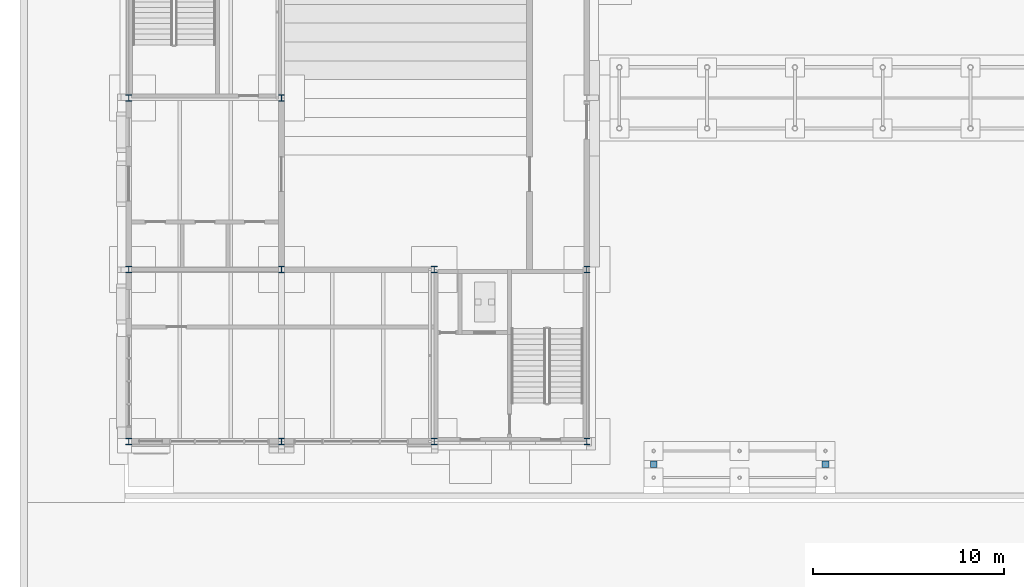
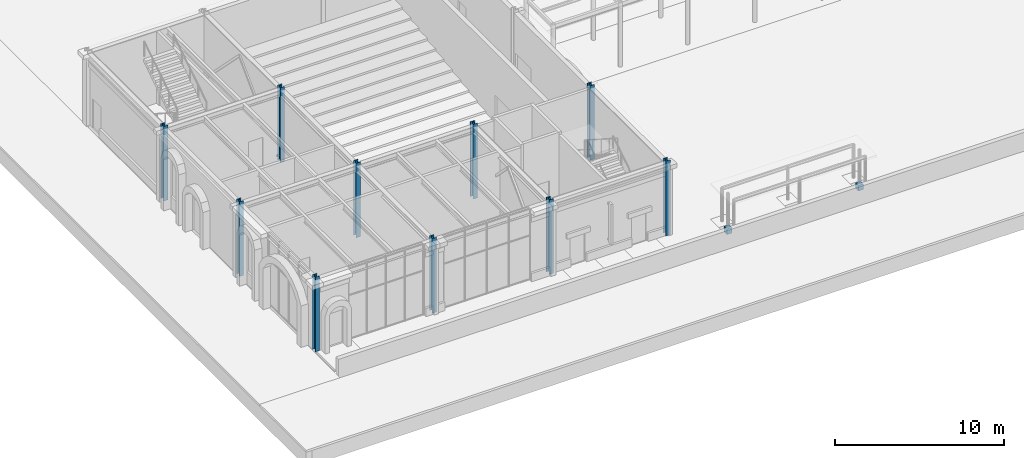
# One storey, part 4 of 126: 10 columns, 2 footings.
"""IFC4 building model written with IfcOpenShell, lengths in metres."""

import ifcopenshell
import ifcopenshell.guid

model = None  # the IFC model being written
_history = None  # IfcOwnerHistory: only IFC2X3 demands one
_inside = {}  # id of a spatial element -> (the spatial element, [elements in it])
_under = {}  # id of a project, library or spatial element -> (it, [spatial elements below it])
_declared = {}  # id of a project -> (the project, [libraries it declares])
_typed = {}  # id of a type object -> (the type object, [elements of that type])
_made_of = {}  # id of a material, layer set ... -> (it, [elements and type objects made of it])


def new_model(schema):
    """Start an empty IFC model of exactly this schema.

    Asked for "IFC4X3", IfcOpenShell would pick the latest addendum, in which some entities
    have other attributes; the version numbers below select the first issue.
    IFC2X3 requires an IfcOwnerHistory on every rooted entity: one is made here for all.
    """
    global model, _history
    if schema == "IFC4X3":
        model = ifcopenshell.file(schema_version=(4, 3, 0, 0))
    else:
        model = ifcopenshell.file(schema=schema)
    _inside.clear()
    _under.clear()
    _declared.clear()
    _typed.clear()
    _made_of.clear()
    _history = None
    if model.schema == "IFC2X3":
        org = make("IfcOrganization", Name="unknown")
        user = make(
            "IfcPersonAndOrganization",
            ThePerson=make("IfcPerson", FamilyName="unknown"),
            TheOrganization=org,
        )
        app = make(
            "IfcApplication",
            ApplicationDeveloper=org,
            Version="unknown",
            ApplicationFullName="unknown",
            ApplicationIdentifier="unknown",
        )
        _history = make(
            "IfcOwnerHistory",
            OwningUser=user,
            OwningApplication=app,
            ChangeAction="ADDED",
            CreationDate=0,
        )
    return model


def make(cls, **values):
    """One entity of the class cls with the attributes given. An attribute that is None is left unset."""
    return model.create_entity(
        cls, **{name: value for name, value in values.items() if value is not None}
    )


def rooted(cls, **values):
    """An entity with a GlobalId (a new one), such as an element, a storey or a relation."""
    return make(cls, GlobalId=ifcopenshell.guid.new(), OwnerHistory=_history, **values)


def si_unit(unit_type, name, prefix=None):
    """IfcSIUnit, for example si_unit("LENGTHUNIT", "METRE", prefix="MILLI")."""
    return make("IfcSIUnit", UnitType=unit_type, Prefix=prefix, Name=name)


def assignment(units):
    """IfcUnitAssignment: the units of a project."""
    return None if units is None else make("IfcUnitAssignment", Units=units)


def point(xyz):
    """IfcCartesianPoint."""
    return None if xyz is None else make("IfcCartesianPoint", Coordinates=xyz)


def direction(xyz):
    """IfcDirection."""
    return None if xyz is None else make("IfcDirection", DirectionRatios=xyz)


def frame(location, z_axis=None, x_axis=None):
    """IfcAxis2Placement3D, a coordinate frame: its origin and axes. An axis left out is left unset."""
    return make(
        "IfcAxis2Placement3D",
        Location=point(location),
        Axis=direction(z_axis),
        RefDirection=direction(x_axis),
    )


def frame_2d(location, x_axis=None):
    """IfcAxis2Placement2D, a coordinate frame in the plane: its origin and x axis."""
    return make(
        "IfcAxis2Placement2D", Location=point(location), RefDirection=direction(x_axis)
    )


def origin():
    """The frame at (0, 0, 0) with its axes left unset."""
    return frame((0.0, 0.0, 0.0))


def origin_2d():
    """The frame at (0, 0) in the plane with its x axis left unset."""
    return frame_2d((0.0, 0.0))


def place(relative_to, where):
    """IfcLocalPlacement: puts the frame where relative to a parent placement (None: the world)."""
    return make(
        "IfcLocalPlacement", PlacementRelTo=relative_to, RelativePlacement=where
    )


def context(
    kind, dimensions, precision=None, world=None, true_north=None, identifier=None
):
    """IfcGeometricRepresentationContext, for example the 3D "Model" context."""
    return make(
        "IfcGeometricRepresentationContext",
        ContextIdentifier=identifier,
        ContextType=kind,
        CoordinateSpaceDimension=dimensions,
        Precision=precision,
        WorldCoordinateSystem=world,
        TrueNorth=true_north,
    )


def subcontext(parent, identifier, kind, view, scale=None):
    """IfcGeometricRepresentationSubContext, for example "Body" below "Model"."""
    return make(
        "IfcGeometricRepresentationSubContext",
        ContextIdentifier=identifier,
        ContextType=kind,
        ParentContext=parent,
        TargetScale=scale,
        TargetView=view,
    )


def project(units=None, contexts=None):
    """IfcProject with its units and contexts."""
    return rooted(
        "IfcProject",
        Name="project",
        RepresentationContexts=contexts,
        UnitsInContext=assignment(units),
    )


def spatial(cls, under=None, at=None, **own):
    """A site, building, storey or space (cls), placed at a placement, below another one or the project."""
    s = rooted(cls, ObjectPlacement=at, **own)
    if under is not None:
        _under.setdefault(under.id(), (under, []))[1].append(s)
    return s


def profile(cls, at=None, kind="AREA", **sizes):
    """A parametric profile (cls). Its sizes go by their IFC names, for example OverallWidth=200.0."""
    return make(cls, ProfileType=kind, Position=at, **sizes)


def rectangle(**sizes):
    """IfcRectangleProfileDef."""
    return profile("IfcRectangleProfileDef", **sizes)


def i_section(**sizes):
    """IfcIShapeProfileDef."""
    return profile("IfcIShapeProfileDef", **sizes)


def extrude(swept, where, along, depth):
    """IfcExtrudedAreaSolid: the profile swept, set in the frame where, extruded along a direction by depth."""
    return make(
        "IfcExtrudedAreaSolid",
        SweptArea=swept,
        Position=where,
        ExtrudedDirection=direction(along),
        Depth=depth,
    )


def shape(context_of_items, identifier, shape_type, items):
    """IfcShapeRepresentation: the items that make up one representation, for example the "Body"."""
    return make(
        "IfcShapeRepresentation",
        ContextOfItems=context_of_items,
        RepresentationIdentifier=identifier,
        RepresentationType=shape_type,
        Items=items,
    )


def material(Name=None, Category=None):
    """IfcMaterial."""
    return make("IfcMaterial", Name=Name, Category=Category)


def material_profile(
    of_material, cross_section, Name=None, Category=None, Priority=None
):
    """IfcMaterialProfile: a cross section and its material."""
    return make(
        "IfcMaterialProfile",
        Name=Name,
        Material=of_material,
        Profile=cross_section,
        Priority=Priority,
        Category=Category,
    )


def profile_set(profiles, Name=None, composite=None):
    """IfcMaterialProfileSet."""
    return make(
        "IfcMaterialProfileSet",
        Name=Name,
        MaterialProfiles=profiles,
        CompositeProfile=composite,
    )


def made_of(thing, what):
    """Note that an element or type object is made of a material, layer set ...; save() writes the relation."""
    if what is not None:
        _made_of.setdefault(what.id(), (what, []))[1].append(thing)
    return thing


def type_object(cls, material=None, **own):
    """A type object (cls), such as IfcWallType, which elements share."""
    return made_of(rooted(cls, **own), material)


def element(
    cls,
    number,
    at=None,
    inside=None,
    cuts=None,
    type_object=None,
    material=None,
    context=None,
    identifier="Body",
    shape_type=None,
    held_by="IfcProductDefinitionShape",
    body=None,
    shapes=None,
    **own,
):
    """One element of the class cls, such as IfcWall. Its Tag is "e" and its number.

    at: its placement. inside: the storey or other place that contains it. cuts: it is an
    opening in that element (IfcRelVoidsElement). A single representation is given by context,
    identifier, shape_type and body (its items); several are given by shapes. held_by: the class
    of the entity that holds the representations. save() writes the other relations.
    """
    e = rooted(cls, Tag="e%d" % number, ObjectPlacement=at, **own)
    if body is not None:
        shapes = [shape(context, identifier, shape_type, body)]
    if shapes is not None:
        e.Representation = make(held_by, Representations=shapes)
    if inside is not None:
        _inside.setdefault(inside.id(), (inside, []))[1].append(e)
    if cuts is not None:
        rooted(
            "IfcRelVoidsElement", RelatingBuildingElement=cuts, RelatedOpeningElement=e
        )
    if type_object is not None:
        _typed.setdefault(type_object.id(), (type_object, []))[1].append(e)
    return made_of(e, material)


def aggregate(whole, parts):
    """IfcRelAggregates: a whole, such as a stair, and the parts it consists of."""
    return rooted("IfcRelAggregates", RelatingObject=whole, RelatedObjects=parts)


def save(model, path):
    """Write the relations noted so far, then the file.

    IfcRelAggregates (storeys below a building ...), IfcRelContainedInSpatialStructure (elements
    in a storey), IfcRelDefinesByType, IfcRelAssociatesMaterial and IfcRelDeclares: one each for
    every whole, place, type object, material and project.
    """
    for whole, parts in _under.values():
        aggregate(whole, parts)
    for where, things in _inside.values():
        rooted(
            "IfcRelContainedInSpatialStructure",
            RelatedElements=things,
            RelatingStructure=where,
        )
    for kind, things in _typed.values():
        rooted("IfcRelDefinesByType", RelatedObjects=things, RelatingType=kind)
    for what, things in _made_of.values():
        rooted("IfcRelAssociatesMaterial", RelatedObjects=things, RelatingMaterial=what)
    for by, libraries in _declared.values():
        rooted("IfcRelDeclares", RelatingContext=by, RelatedDefinitions=libraries)
    model.write(path)


model = new_model("IFC4")

# Units and contexts
model_context = context("Model", 3, precision=1e-05, world=origin(), true_north=direction((0.0, 1.0)))
body_context = subcontext(model_context, "Body", "Model", "MODEL_VIEW")
ifc_project = project(units=[si_unit("LENGTHUNIT", "METRE"), si_unit("AREAUNIT", "SQUARE_METRE"), si_unit("VOLUMEUNIT", "CUBIC_METRE"), si_unit("PLANEANGLEUNIT", "RADIAN"), si_unit("MASSUNIT", "GRAM", prefix="KILO")], contexts=[model_context])

# Site, building, storey
site_placement = place(None, origin())
site = spatial("IfcSite", under=ifc_project, at=site_placement, CompositionType="ELEMENT")
building_placement = place(site_placement, origin())
building = spatial("IfcBuilding", under=site, at=building_placement, Name="Kallimachos Central Library", CompositionType="ELEMENT")
storey_placement = place(building_placement, origin())
storey = spatial("IfcBuildingStorey", under=building, at=storey_placement, Name="L00", CompositionType="ELEMENT", Elevation=0.0)

# Footings
ifc_material_1 = material(Name="Concrete C30/37", Category="concrete")
footing_type = type_object("IfcFootingType", Name="Pad footing 350 x 350 x 400", PredefinedType="PAD_FOOTING", material=ifc_material_1)
for number, where, z_axis, x_axis, name in (
    (1, (33.5, 7.800048828125, -0.39990234375), (0.0, 0.0, 1.0), (1.0, 0.0, 0.0), "Cycle shelter ridge footing"),
    (2, (42.5, 7.800048828125, -0.39990234375), (0.0, 0.0, 1.0), (1.0, 0.0, 0.0), "Cycle shelter ridge footing"),
):
    element("IfcFooting", number, at=place(storey_placement, frame(where, z_axis=z_axis, x_axis=x_axis)), inside=storey, type_object=footing_type, Name=name, PredefinedType="PAD_FOOTING", context=body_context, shape_type="SweptSolid", body=[
        extrude(rectangle(XDim=0.35009765625, YDim=0.35009765625, at=origin_2d()), origin(), (0.0, 0.0, 1.0), 0.39990234375),
    ])

# Columns
ifc_material_2 = material(Name="Steel S355J2", Category="steel")
ifc_material_profile = material_profile(ifc_material_2, i_section(OverallWidth=0.300048828125, OverallDepth=0.340087890625, WebThickness=0.011962890625, FlangeThickness=0.021484375, FilletRadius=0.027099609375, at=origin_2d()), Name="HEB 340")
ifc_profile_set = profile_set([ifc_material_profile], Name="Steel S355J2")
column_type = type_object("IfcColumnType", Name="HEB 340 column", PredefinedType="COLUMN", material=ifc_profile_set)
for number, where, z_axis, x_axis, name in (
    (3, (6.0, 9.0, 0.0), (0.0, 0.0, 1.0), (1.0, 0.0, 0.0), "V6-COL-L00-001"),
    (4, (6.0, 18.0, 0.0), (0.0, 0.0, 1.0), (1.0, 0.0, 0.0), "V6-COL-L00-002"),
    (5, (6.0, 27.0, 0.0), (0.0, 0.0, 1.0), (1.0, 0.0, 0.0), "V6-COL-L00-003"),
    (6, (14.0, 9.0, 0.0), (0.0, 0.0, 1.0), (1.0, 0.0, 0.0), "V6-COL-L00-005"),
    (7, (14.0, 18.0, 0.0), (0.0, 0.0, 1.0), (1.0, 0.0, 0.0), "V6-COL-L00-006"),
    (8, (14.0, 27.0, 0.0), (0.0, 0.0, 1.0), (1.0, 0.0, 0.0), "V6-COL-L00-007"),
    (9, (22.0, 9.0, 0.0), (0.0, 0.0, 1.0), (1.0, 0.0, 0.0), "V6-COL-L00-009"),
    (10, (22.0, 18.0, 0.0), (0.0, 0.0, 1.0), (1.0, 0.0, 0.0), "V6-COL-L00-010"),
    (11, (30.0, 9.0, 0.0), (0.0, 0.0, 1.0), (1.0, 0.0, 0.0), "V6-COL-L00-011"),
    (12, (30.0, 18.0, 0.0), (0.0, 0.0, 1.0), (1.0, 0.0, 0.0), "V6-COL-L00-012"),
):
    element("IfcColumn", number, at=place(storey_placement, frame(where, z_axis=z_axis, x_axis=x_axis)), inside=storey, type_object=column_type, Name=name, PredefinedType="COLUMN", context=body_context, shape_type="SweptSolid", body=[
        extrude(i_section(OverallWidth=0.300048828125, OverallDepth=0.340087890625, WebThickness=0.011962890625, FlangeThickness=0.021484375, FilletRadius=0.027099609375, at=origin_2d()), origin(), (0.0, 0.0, 1.0), 5.39990234375),
    ])

save(model, "model.ifc")
